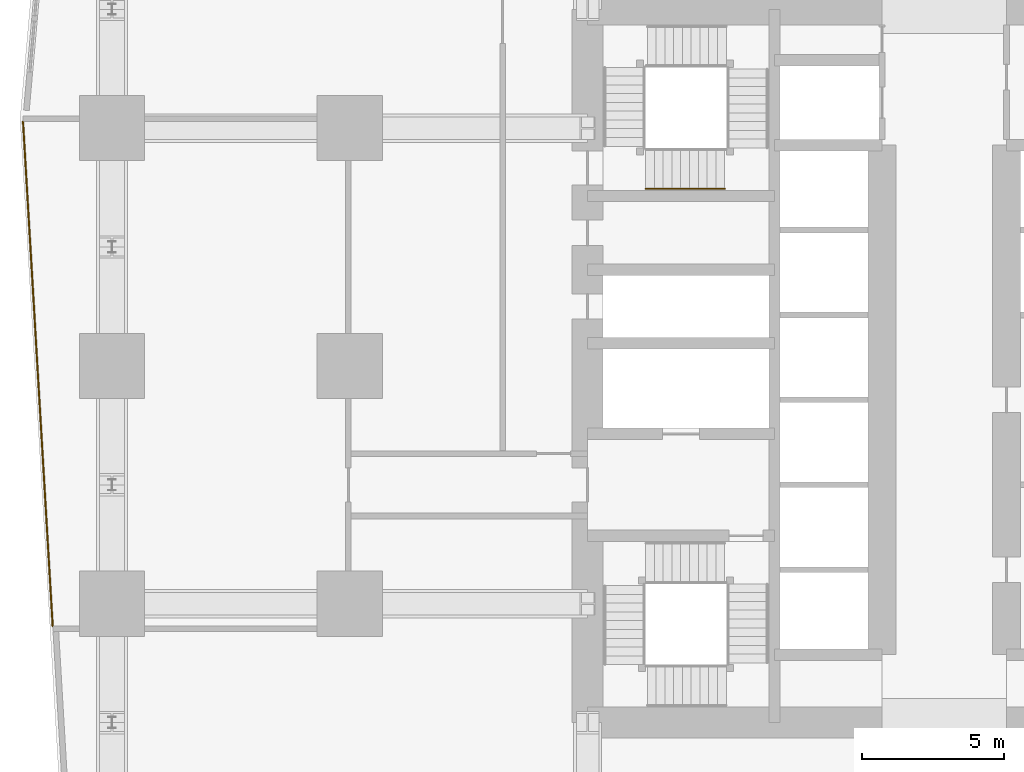
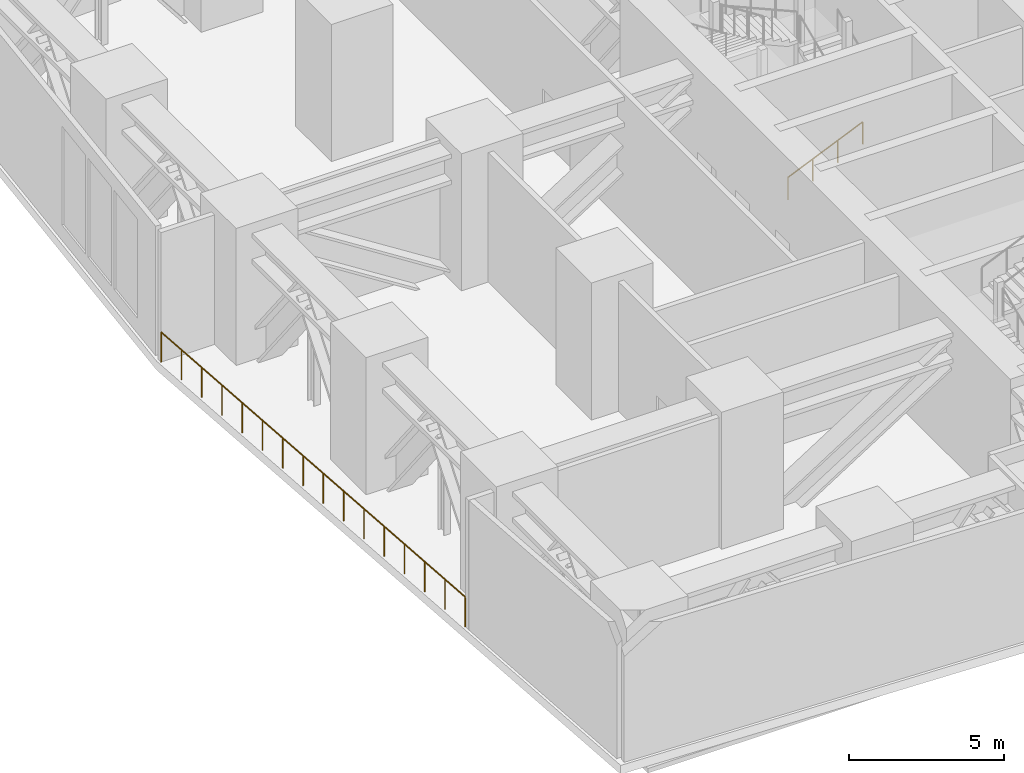
# One storey, part 14 of 16: 2 railings.
"""IFC4 building model written with IfcOpenShell, lengths in metres."""

from ifc_helpers import new_model, si_unit, direction, frame, origin, origin_2d, place, context, subcontext, project, spatial, circle, extrude, material, type_object, element, save


model = new_model("IFC4")

# Units and contexts
model_context = context("Model", 3, precision=1e-05, world=origin(), true_north=direction((0.0, 1.0)))
body_context = subcontext(model_context, "Body", "Model", "MODEL_VIEW")
ifc_project = project(units=[si_unit("LENGTHUNIT", "METRE"), si_unit("AREAUNIT", "SQUARE_METRE"), si_unit("VOLUMEUNIT", "CUBIC_METRE"), si_unit("PLANEANGLEUNIT", "RADIAN"), si_unit("MASSUNIT", "GRAM", prefix="KILO")], contexts=[model_context])

# Site, building, storey
site_placement = place(None, origin())
site = spatial("IfcSite", under=ifc_project, at=site_placement, CompositionType="ELEMENT")
building_placement = place(site_placement, origin())
building = spatial("IfcBuilding", under=site, at=building_placement, Name="Rekha Terrace Tower", CompositionType="ELEMENT")
storey_placement = place(building_placement, frame((0.0, 0.0, 240.199951171875)))
storey = spatial("IfcBuildingStorey", under=building, at=storey_placement, Name="L61", CompositionType="ELEMENT", Elevation=240.199951171875)

# Railings
ifc_material_1 = material(Name="Steel guard with vertical balusters", Category="steel")
railing_type_1 = type_object("IfcRailingType", Name="GR2 refuge area guard 1200", PredefinedType="GUARDRAIL", material=ifc_material_1)
railing_1_placement = place(storey_placement, frame((6.304931640625, 24.412109375, 0.0)))
element("IfcRailing", 1, at=railing_1_placement, inside=storey, type_object=railing_type_1, Name="Refuge area guard L61", PredefinedType="GUARDRAIL", context=body_context, shape_type="SweptSolid", body=[
    extrude(circle(Radius=0.02392578125, at=origin_2d()), frame((0.0, 0.0, 1.17578125), z_axis=(-0.058768533297, 0.998271636126, 0.0), x_axis=(-0.998271636126, -0.058768533297, 0.0)), (0.0, 0.0, 1.0), 17.8466796875),
    extrude(circle(Radius=0.02099609375, at=origin_2d()), origin(), (0.0, 0.0, 1.0), 1.15185546875),
    extrude(circle(Radius=0.02099609375, at=origin_2d()), frame((-0.06982421875, 1.187744140625, 0.0)), (0.0, 0.0, 1.0), 1.15185546875),
    extrude(circle(Radius=0.02099609375, at=origin_2d()), frame((-0.139892578125, 2.37548828125, 0.0)), (0.0, 0.0, 1.0), 1.15185546875),
    extrude(circle(Radius=0.02099609375, at=origin_2d()), frame((-0.209716796875, 3.563232421875, 0.0)), (0.0, 0.0, 1.0), 1.15185546875),
    extrude(circle(Radius=0.02099609375, at=origin_2d()), frame((-0.27978515625, 4.7509765625, 0.0)), (0.0, 0.0, 1.0), 1.15185546875),
    extrude(circle(Radius=0.02099609375, at=origin_2d()), frame((-0.349609375, 5.938720703125, 0.0)), (0.0, 0.0, 1.0), 1.15185546875),
    extrude(circle(Radius=0.02099609375, at=origin_2d()), frame((-0.41943359375, 7.12646484375, 0.0)), (0.0, 0.0, 1.0), 1.15185546875),
    extrude(circle(Radius=0.02099609375, at=origin_2d()), frame((-0.489501953125, 8.314208984375, 0.0)), (0.0, 0.0, 1.0), 1.15185546875),
    extrude(circle(Radius=0.02099609375, at=origin_2d()), frame((-0.559326171875, 9.501708984375, 0.0)), (0.0, 0.0, 1.0), 1.15185546875),
    extrude(circle(Radius=0.02099609375, at=origin_2d()), frame((-0.62939453125, 10.689453125, 0.0)), (0.0, 0.0, 1.0), 1.15185546875),
    extrude(circle(Radius=0.02099609375, at=origin_2d()), frame((-0.69921875, 11.877197265625, 0.0)), (0.0, 0.0, 1.0), 1.15185546875),
    extrude(circle(Radius=0.02099609375, at=origin_2d()), frame((-0.76904296875, 13.06494140625, 0.0)), (0.0, 0.0, 1.0), 1.15185546875),
    extrude(circle(Radius=0.02099609375, at=origin_2d()), frame((-0.839111328125, 14.252685546875, 0.0)), (0.0, 0.0, 1.0), 1.15185546875),
    extrude(circle(Radius=0.02099609375, at=origin_2d()), frame((-0.908935546875, 15.4404296875, 0.0)), (0.0, 0.0, 1.0), 1.15185546875),
    extrude(circle(Radius=0.02099609375, at=origin_2d()), frame((-0.97900390625, 16.628173828125, 0.0)), (0.0, 0.0, 1.0), 1.15185546875),
    extrude(circle(Radius=0.02099609375, at=origin_2d()), frame((-1.048828125, 17.81591796875, 0.0)), (0.0, 0.0, 1.0), 1.15185546875),
])
ifc_material_2 = material(Name="Stainless steel tube", Category="steel")
railing_type_2 = type_object("IfcRailingType", Name="HR1 900 stair handrail", PredefinedType="HANDRAIL", material=ifc_material_2)
railing_2_placement = place(storey_placement, frame((27.25, 39.860107421875, 0.135009765625)))
element("IfcRailing", 2, at=railing_2_placement, inside=storey, type_object=railing_type_2, Name="Handrail ST4 L61 flight 1", PredefinedType="HANDRAIL", context=body_context, shape_type="SweptSolid", body=[
    extrude(circle(Radius=0.02392578125, at=origin_2d()), frame((0.0, 0.0, 0.8759765625), z_axis=(0.916826272601, 0.0, 0.399286345707), x_axis=(0.0, 1.0, 0.0)), (0.0, 0.0, 1.0), 3.043212890625),
    extrude(circle(Radius=0.02099609375, at=origin_2d()), origin(), (0.0, 0.0, 1.0), 0.851806640625),
    extrude(circle(Radius=0.02099609375, at=origin_2d()), frame((0.929931640625, 0.0, 0.405029296875)), (0.0, 0.0, 1.0), 0.851806640625),
    extrude(circle(Radius=0.02099609375, at=origin_2d()), frame((1.860107421875, 0.0, 0.81005859375)), (0.0, 0.0, 1.0), 0.851806640625),
    extrude(circle(Radius=0.02099609375, at=origin_2d()), frame((2.7900390625, 0.0, 1.215087890625)), (0.0, 0.0, 1.0), 0.851806640625),
])

save(model, "model.ifc")
